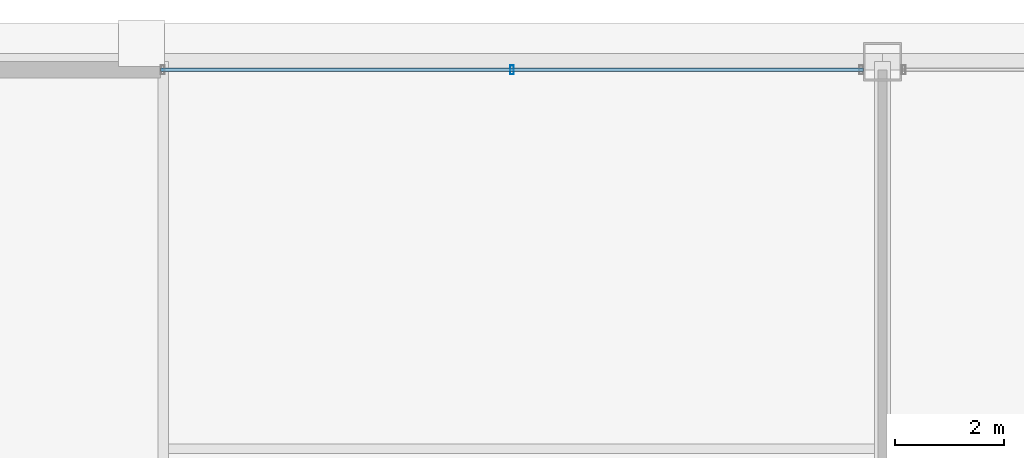
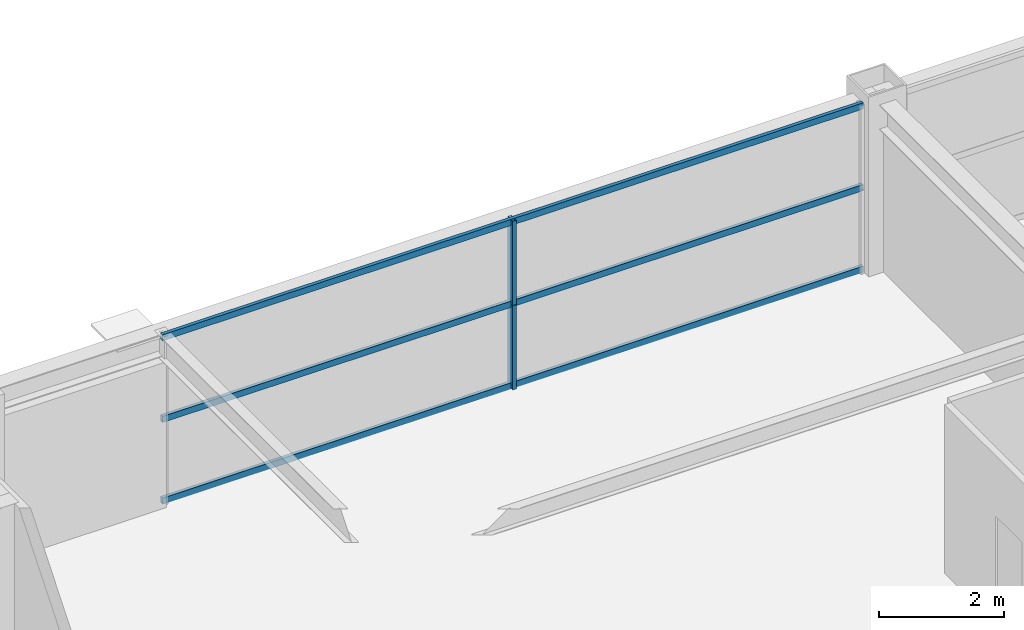
# One storey, part 27 of 37: 5 members, 1 element without a shape of its own.
"""IFC4 building model written with IfcOpenShell, lengths in metres."""

from ifc_helpers import new_model, si_unit, direction, frame, origin, origin_2d, place, context, subcontext, project, spatial, hollow_rectangle, extrude, source, transform, mapped, material, layer, layer_set, material_profile, profile_set, type_object, element, aggregate, save


model = new_model("IFC4")

# Units and contexts
model_context = context("Model", 3, precision=1e-05, world=origin(), true_north=direction((0.0, 1.0)))
body_context = subcontext(model_context, "Body", "Model", "MODEL_VIEW")
ifc_project = project(units=[si_unit("LENGTHUNIT", "METRE"), si_unit("AREAUNIT", "SQUARE_METRE"), si_unit("VOLUMEUNIT", "CUBIC_METRE"), si_unit("PLANEANGLEUNIT", "RADIAN"), si_unit("MASSUNIT", "GRAM", prefix="KILO"), si_unit("THERMODYNAMICTEMPERATUREUNIT", "KELVIN"), si_unit("POWERUNIT", "WATT")], contexts=[model_context])

# Site, building, storey
site_placement = place(None, origin())
site = spatial("IfcSite", under=ifc_project, at=site_placement, CompositionType="ELEMENT")
building_placement = place(site_placement, origin())
building = spatial("IfcBuilding", under=site, at=building_placement, Name="Yuzanri Waterfront Tower", CompositionType="ELEMENT")
storey_placement = place(building_placement, frame((0.0, 0.0, 275.10009765625)))
storey = spatial("IfcBuildingStorey", under=building, at=storey_placement, Name="L73", CompositionType="ELEMENT", Elevation=275.10009765625)

# Curtain wall, members
ifc_material_1 = material(Name="Anodized Architectural Bronze", Category="metal")
ifc_layer = layer(ifc_material_1, 0.159912109375)
ifc_layer_set = layer_set([ifc_layer], Name="Anodized Architectural Bronze")
curtain_wall_type = type_object("IfcCurtainWallType", Name="Anodized Bronze Mid-Rise Residential Acoustic Unitized Curtain Wall 7200", PredefinedType="NOTDEFINED", material=ifc_layer_set)
curtain_wall_placement = place(storey_placement, origin())
curtain_wall = element("IfcCurtainWall", 1, at=curtain_wall_placement, inside=storey, type_object=curtain_wall_type, Name="L73 Curtain Wall CW-L73-NL", PredefinedType="NOTDEFINED")
ifc_material_2 = material(Name="Anodized Architectural Bronze", Category="metal")
ifc_material_profile_1 = material_profile(ifc_material_2, hollow_rectangle(XDim=0.06494140625, YDim=0.159912109375, WallThickness=0.00341796875, at=origin_2d()), Name="CWM 65x160")
ifc_profile_set_1 = profile_set([ifc_material_profile_1], Name="Anodized Architectural Bronze")
member_type_1 = type_object("IfcMemberType", Name="Anodized Bronze Upper-Zone Curtain-Wall Mullion 65x160", PredefinedType="MULLION", material=ifc_profile_set_1)
shared_shape_1 = source(origin(), body_context, "Body", "SweptSolid", [
    extrude(hollow_rectangle(XDim=0.06494140625, YDim=0.159912109375, WallThickness=0.00341796875, at=origin_2d()), origin(), (0.0, 0.0, 1.0), 1.637939453125),
])
member_1_placement = place(storey_placement, frame((30.199951171875, 46.25, 0.0), z_axis=(0.0, 0.0, 1.0), x_axis=(1.0, 0.0, 0.0)))
member_1 = element("IfcMember", 2, at=member_1_placement, type_object=member_type_1, Name="CW-L73-NL Lower Mullion 01", PredefinedType="MULLION", context=body_context, shape_type="MappedRepresentation", body=[
    mapped(shared_shape_1, transform((0.0, 0.0, 0.0), scale=1.0)),
])
member_2_placement = place(storey_placement, frame((30.199951171875, 46.25, 1.641845703125), z_axis=(0.0, 0.0, 1.0), x_axis=(1.0, 0.0, 0.0)))
member_2 = element("IfcMember", 3, at=member_2_placement, type_object=member_type_1, Name="CW-L73-NL Upper Mullion 01", PredefinedType="MULLION", context=body_context, shape_type="MappedRepresentation", body=[
    mapped(shared_shape_1, transform((0.0, 0.0, 0.0), scale=1.0)),
])
ifc_material_3 = material(Name="Anodized Architectural Bronze", Category="metal")
ifc_material_profile_2 = material_profile(ifc_material_3, hollow_rectangle(XDim=0.06494140625, YDim=0.1201171875, WallThickness=0.00341796875, at=origin_2d()), Name="CWT 65x120")
ifc_profile_set_2 = profile_set([ifc_material_profile_2], Name="Anodized Architectural Bronze")
member_type_2 = type_object("IfcMemberType", Name="Anodized Bronze Secondary Curtain-Wall Transom 65x120", PredefinedType="USERDEFINED", material=ifc_profile_set_2)
shared_shape_2 = source(origin(), body_context, "Body", "SweptSolid", [
    extrude(hollow_rectangle(XDim=0.06494140625, YDim=0.1201171875, WallThickness=0.00341796875, at=origin_2d()), origin(), (0.0, 0.0, 1.0), 12.89990234375),
])
member_3_placement = place(storey_placement, frame((23.75, 46.25, 0.0498046875), z_axis=(1.0, 0.0, 0.0), x_axis=(0.0, 1.0, 0.0)))
member_3 = element("IfcMember", 4, at=member_3_placement, type_object=member_type_2, Name="CW-L73-NL Transom 1", ObjectType="TRANSOM", PredefinedType="USERDEFINED", context=body_context, shape_type="MappedRepresentation", body=[
    mapped(shared_shape_2, transform((0.0, 0.0, 0.0), scale=1.0)),
])
member_4_placement = place(storey_placement, frame((23.75, 46.25, 1.639892578125), z_axis=(1.0, 0.0, 0.0), x_axis=(0.0, 1.0, 0.0)))
member_4 = element("IfcMember", 5, at=member_4_placement, type_object=member_type_2, Name="CW-L73-NL Transom 2", ObjectType="TRANSOM", PredefinedType="USERDEFINED", context=body_context, shape_type="MappedRepresentation", body=[
    mapped(shared_shape_2, transform((0.0, 0.0, 0.0), scale=1.0)),
])
member_5_placement = place(storey_placement, frame((23.75, 46.25, 3.22998046875), z_axis=(1.0, 0.0, 0.0), x_axis=(0.0, 1.0, 0.0)))
member_5 = element("IfcMember", 6, at=member_5_placement, type_object=member_type_2, Name="CW-L73-NL Transom 3", ObjectType="TRANSOM", PredefinedType="USERDEFINED", context=body_context, shape_type="MappedRepresentation", body=[
    mapped(shared_shape_2, transform((0.0, 0.0, 0.0), scale=1.0)),
])
aggregate(curtain_wall, [member_1, member_2, member_3, member_4, member_5])

save(model, "model.ifc")
